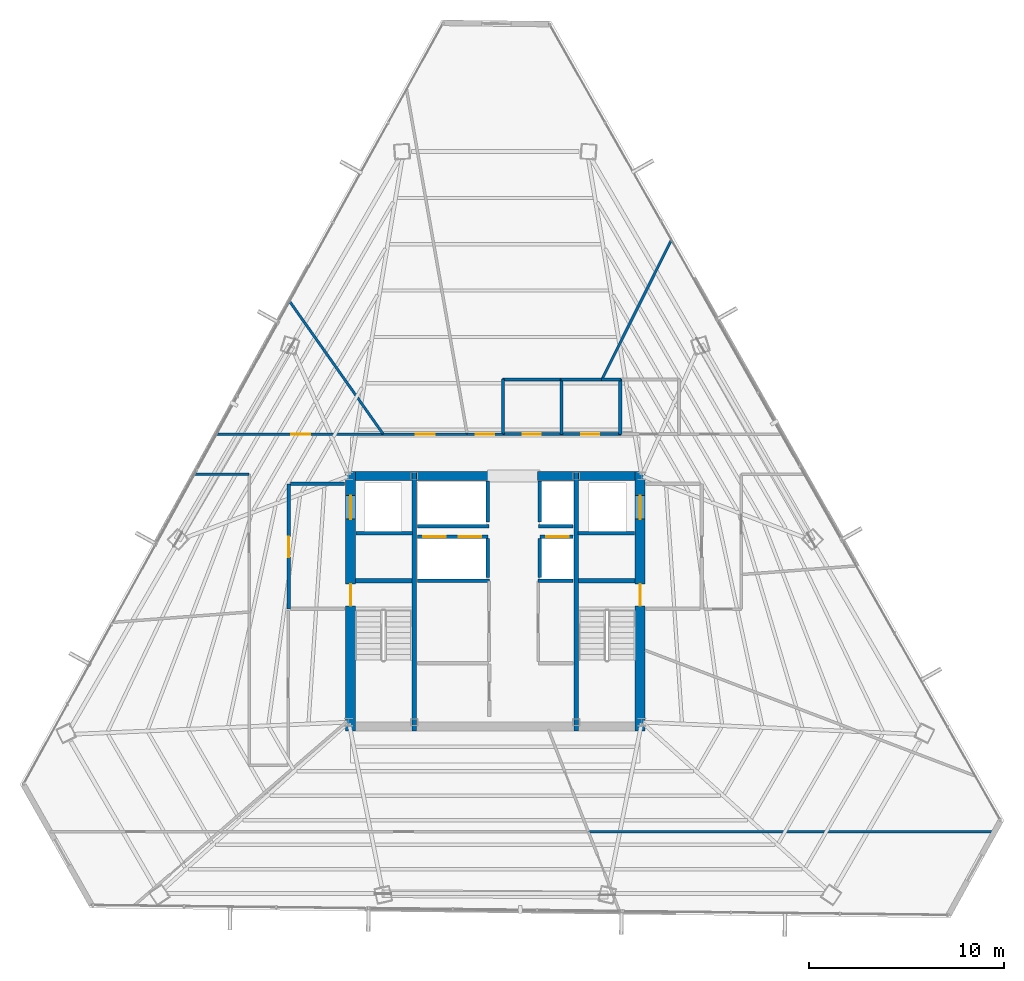
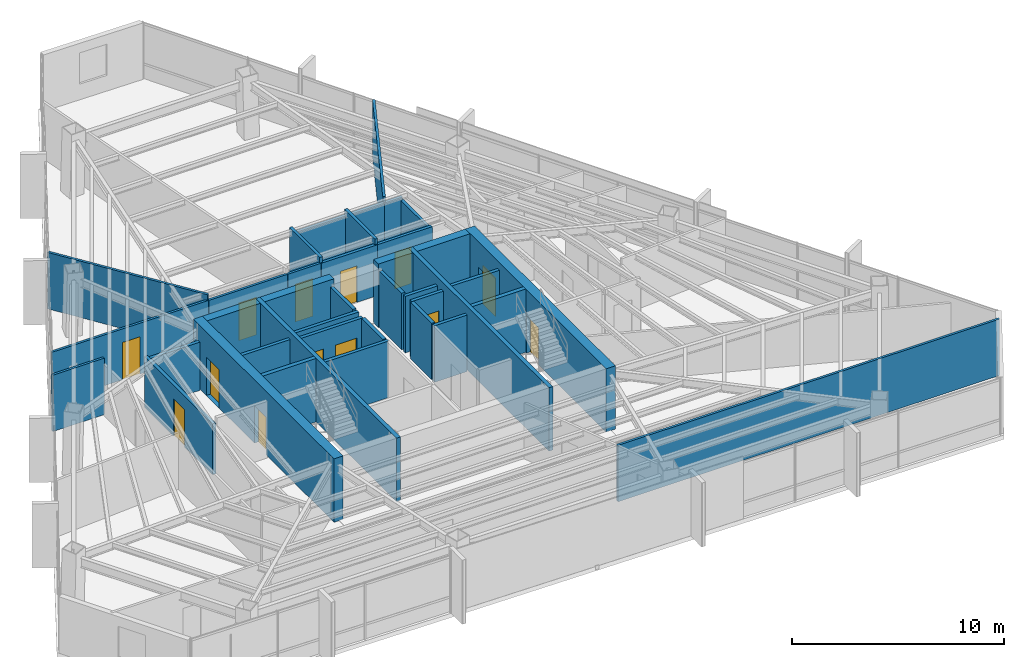
# One storey, part 36 of 40: 39 walls, 13 doors, 13 openings.
"""IFC4 building model written with IfcOpenShell, lengths in metres."""

from ifc_helpers import new_model, si_unit, direction, frame, frame_2d, origin, place, context, subcontext, project, spatial, rectangle, extrude, material, layer, layer_set, type_object, element, fill, save


model = new_model("IFC4")

# Units and contexts
model_context = context("Model", 3, precision=1e-05, world=origin(), true_north=direction((0.0, 1.0)))
body_context = subcontext(model_context, "Body", "Model", "MODEL_VIEW")
ifc_project = project(units=[si_unit("LENGTHUNIT", "METRE"), si_unit("AREAUNIT", "SQUARE_METRE"), si_unit("VOLUMEUNIT", "CUBIC_METRE"), si_unit("PLANEANGLEUNIT", "RADIAN"), si_unit("MASSUNIT", "GRAM", prefix="KILO")], contexts=[model_context])

# Site, building, storey
site_placement = place(None, origin())
site = spatial("IfcSite", under=ifc_project, at=site_placement, CompositionType="ELEMENT")
building_placement = place(site_placement, origin())
building = spatial("IfcBuilding", under=site, at=building_placement, Name="Caelisora Broadcast Tower", CompositionType="ELEMENT")
storey_placement = place(building_placement, frame((0.0, 0.0, 216.89990234375)))
storey = spatial("IfcBuildingStorey", under=building, at=storey_placement, Name="L57", CompositionType="ELEMENT", Elevation=216.89990234375)

# Wall, openings, doors
ifc_material_1 = material(Name="Concrete 50 MPa (AS 3600 S50)", Category="concrete")
ifc_layer_1 = layer(ifc_material_1, 0.5, Name="Concrete 50 MPa (AS 3600 S50)")
ifc_layer_set_1 = layer_set([ifc_layer_1], Name="Concrete 50 MPa (AS 3600 S50)")
wall_type_1 = type_object("IfcWallType", Name="CW2", PredefinedType="SHEAR", material=ifc_layer_set_1)
wall_1_placement = place(storey_placement, frame((30.590087890625, 16.949951171875, 0.0), z_axis=(0.0, 0.0, 1.0), x_axis=(0.0, 1.0, 0.0)))
wall_1 = element("IfcWall", 1, at=wall_1_placement, inside=storey, type_object=wall_type_1, Name="L57 core shear wall CW2", PredefinedType="SHEAR", context=body_context, shape_type="SweptSolid", body=[
    extrude(rectangle(XDim=13.275146484375, YDim=0.5, at=frame_2d((6.6376953125, 0.0))), origin(), (0.0, 0.0, 1.0), 3.650146484375),
])
opening_1_placement = place(wall_1_placement, frame((6.39990234375, 0.0, 0.0)))
opening_1 = element("IfcOpeningElement", 2, at=opening_1_placement, cuts=wall_1, Name="Opening FD04", PredefinedType="OPENING", context=body_context, shape_type="SweptSolid", body=[
    extrude(rectangle(XDim=1.1201171875, YDim=2.14990234375, at=frame_2d((0.56005859375, 1.074951171875))), frame((0.0, 0.261962890625, 0.0), z_axis=(0.0, -1.0, 0.0), x_axis=(1.0, 0.0, 0.0)), (0.0, 0.0, 1.0), 0.52392578125),
])
opening_2_placement = place(wall_1_placement, frame((10.85009765625, 0.0, 0.0)))
opening_2 = element("IfcOpeningElement", 3, at=opening_2_placement, cuts=wall_1, Name="Opening LD04", PredefinedType="OPENING", context=body_context, shape_type="SweptSolid", body=[
    extrude(rectangle(XDim=1.199951171875, YDim=2.199951171875, at=frame_2d((0.60009765625, 1.10009765625))), frame((0.0, 0.261962890625, 0.0), z_axis=(0.0, -1.0, 0.0), x_axis=(1.0, 0.0, 0.0)), (0.0, 0.0, 1.0), 0.52392578125),
])
ifc_material_2 = material(Name="Pressurised Fire-Isolated Stair Door", Category="steel")
door_type_1 = type_object("IfcDoorType", Name="FD04", OperationType="NOTDEFINED", PredefinedType="DOOR", material=ifc_material_2)
door_1_placement = place(opening_1_placement, origin())
door_1 = element("IfcDoor", 4, at=door_1_placement, inside=storey, type_object=door_type_1, Name="L57 door FD04 (L57-DR-ST1)", OperationType="SINGLE_SWING_LEFT", OverallHeight=2.14990234375, OverallWidth=1.1201171875, PredefinedType="DOOR", context=body_context, shape_type="SweptSolid", body=[
    extrude(rectangle(XDim=1.1201171875, YDim=2.14990234375, at=frame_2d((0.56005859375, 1.074951171875))), frame((0.0, 0.02490234375, 0.0), z_axis=(0.0, -1.0, 0.0), x_axis=(1.0, 0.0, 0.0)), (0.0, 0.0, 1.0), 0.050048828125),
])
fill(opening_1, door_1)
ifc_material_3 = material(Name="Emergency Firefighting Lift Sliding Landing Door", Category="steel")
door_type_2 = type_object("IfcDoorType", Name="LD04", OperationType="NOTDEFINED", PredefinedType="DOOR", material=ifc_material_3)
door_2_placement = place(opening_2_placement, origin())
door_2 = element("IfcDoor", 5, at=door_2_placement, inside=storey, type_object=door_type_2, Name="L57 door LD04 (L57-LD-FFL1)", OperationType="SLIDING_TO_LEFT", OverallHeight=2.199951171875, OverallWidth=1.199951171875, PredefinedType="DOOR", context=body_context, shape_type="SweptSolid", body=[
    extrude(rectangle(XDim=1.199951171875, YDim=2.199951171875, at=frame_2d((0.60009765625, 1.10009765625))), frame((0.0, 0.02490234375, 0.0), z_axis=(0.0, -1.0, 0.0), x_axis=(1.0, 0.0, 0.0)), (0.0, 0.0, 1.0), 0.050048828125),
])
fill(opening_2, door_2)

wall_2_placement = place(storey_placement, frame((45.409912109375, 16.949951171875, 0.0), z_axis=(0.0, 0.0, 1.0), x_axis=(0.0, 1.0, 0.0)))
wall_2 = element("IfcWall", 6, at=wall_2_placement, inside=storey, type_object=wall_type_1, Name="L57 core shear wall CW2", PredefinedType="SHEAR", context=body_context, shape_type="SweptSolid", body=[
    extrude(rectangle(XDim=13.275146484375, YDim=0.5, at=frame_2d((6.6376953125, 0.0))), origin(), (0.0, 0.0, 1.0), 3.650146484375),
])
opening_3_placement = place(wall_2_placement, frame((6.39990234375, 0.0, 0.0)))
opening_3 = element("IfcOpeningElement", 7, at=opening_3_placement, cuts=wall_2, Name="Opening FD04", PredefinedType="OPENING", context=body_context, shape_type="SweptSolid", body=[
    extrude(rectangle(XDim=1.1201171875, YDim=2.14990234375, at=frame_2d((0.56005859375, 1.074951171875))), frame((0.0, 0.261962890625, 0.0), z_axis=(0.0, -1.0, 0.0), x_axis=(1.0, 0.0, 0.0)), (0.0, 0.0, 1.0), 0.52392578125),
])
opening_4_placement = place(wall_2_placement, frame((10.85009765625, 0.0, 0.0)))
opening_4 = element("IfcOpeningElement", 8, at=opening_4_placement, cuts=wall_2, Name="Opening LD04", PredefinedType="OPENING", context=body_context, shape_type="SweptSolid", body=[
    extrude(rectangle(XDim=1.199951171875, YDim=2.199951171875, at=frame_2d((0.60009765625, 1.10009765625))), frame((0.0, 0.261962890625, 0.0), z_axis=(0.0, -1.0, 0.0), x_axis=(1.0, 0.0, 0.0)), (0.0, 0.0, 1.0), 0.52392578125),
])
door_3_placement = place(opening_3_placement, origin())
door_3 = element("IfcDoor", 9, at=door_3_placement, inside=storey, type_object=door_type_1, Name="L57 door FD04 (L57-DR-ST2)", OperationType="SINGLE_SWING_RIGHT", OverallHeight=2.14990234375, OverallWidth=1.1201171875, PredefinedType="DOOR", context=body_context, shape_type="SweptSolid", body=[
    extrude(rectangle(XDim=1.1201171875, YDim=2.14990234375, at=frame_2d((0.56005859375, 1.074951171875))), frame((0.0, 0.02490234375, 0.0), z_axis=(0.0, -1.0, 0.0), x_axis=(1.0, 0.0, 0.0)), (0.0, 0.0, 1.0), 0.050048828125),
])
fill(opening_3, door_3)
door_4_placement = place(opening_4_placement, origin())
door_4 = element("IfcDoor", 10, at=door_4_placement, inside=storey, type_object=door_type_2, Name="L57 door LD04 (L57-LD-FFL2)", OperationType="SLIDING_TO_RIGHT", OverallHeight=2.199951171875, OverallWidth=1.199951171875, PredefinedType="DOOR", context=body_context, shape_type="SweptSolid", body=[
    extrude(rectangle(XDim=1.199951171875, YDim=2.199951171875, at=frame_2d((0.60009765625, 1.10009765625))), frame((0.0, 0.02490234375, 0.0), z_axis=(0.0, -1.0, 0.0), x_axis=(1.0, 0.0, 0.0)), (0.0, 0.0, 1.0), 0.050048828125),
])
fill(opening_4, door_4)

# Walls
ifc_layer_2 = layer(ifc_material_1, 0.449951171875, Name="Concrete 50 MPa (AS 3600 S50)")
ifc_layer_set_2 = layer_set([ifc_layer_2], Name="Concrete 50 MPa (AS 3600 S50)")
wall_type_2 = type_object("IfcWallType", Name="CW5", PredefinedType="SHEAR", material=ifc_layer_set_2)
wall_3_placement = place(storey_placement, frame((30.840087890625, 30.0, 0.0), z_axis=(0.0, 0.0, 1.0), x_axis=(1.0, 0.0, 0.0)))
element("IfcWall", 11, at=wall_3_placement, inside=storey, type_object=wall_type_2, Name="L57 core shear wall CW5", PredefinedType="SHEAR", context=body_context, shape_type="SweptSolid", body=[
    extrude(rectangle(XDim=2.89990234375, YDim=0.449951171875, at=frame_2d((1.449951171875, 0.0))), origin(), (0.0, 0.0, 1.0), 3.650146484375),
])
wall_4_placement = place(storey_placement, frame((33.9599609375, 30.0, 0.0), z_axis=(0.0, 0.0, 1.0), x_axis=(1.0, 0.0, 0.0)))
element("IfcWall", 12, at=wall_4_placement, inside=storey, type_object=wall_type_2, Name="L57 core shear wall CW5", PredefinedType="SHEAR", context=body_context, shape_type="SweptSolid", body=[
    extrude(rectangle(XDim=3.780029296875, YDim=0.449951171875, at=frame_2d((1.89013671875, 0.0))), origin(), (0.0, 0.0, 1.0), 3.650146484375),
])
wall_5_placement = place(storey_placement, frame((40.159912109375, 30.0, 0.0), z_axis=(0.0, 0.0, 1.0), x_axis=(1.0, 0.0, 0.0)))
element("IfcWall", 13, at=wall_5_placement, inside=storey, type_object=wall_type_2, Name="L57 core shear wall CW5", PredefinedType="SHEAR", context=body_context, shape_type="SweptSolid", body=[
    extrude(rectangle(XDim=1.880126953125, YDim=0.449951171875, at=frame_2d((0.93994140625, 0.0))), origin(), (0.0, 0.0, 1.0), 3.650146484375),
])
wall_6_placement = place(storey_placement, frame((42.260009765625, 30.0, 0.0), z_axis=(0.0, 0.0, 1.0), x_axis=(1.0, 0.0, 0.0)))
element("IfcWall", 14, at=wall_6_placement, inside=storey, type_object=wall_type_2, Name="L57 core shear wall CW5", PredefinedType="SHEAR", context=body_context, shape_type="SweptSolid", body=[
    extrude(rectangle(XDim=2.89990234375, YDim=0.449951171875, at=frame_2d((1.449951171875, 0.0))), origin(), (0.0, 0.0, 1.0), 3.650146484375),
])
ifc_layer_3 = layer(ifc_material_1, 0.219970703125, Name="Concrete 50 MPa (AS 3600 S50)")
ifc_layer_set_3 = layer_set([ifc_layer_3], Name="Concrete 50 MPa (AS 3600 S50)")
wall_type_3 = type_object("IfcWallType", Name="CW7", PredefinedType="SHEAR", material=ifc_layer_set_3)
for number, where, z_axis, x_axis, name in (
    (15, (33.85009765625, 16.949951171875, 0.0), (0.0, 0.0, 1.0), (0.0, 1.0, 0.0), "L57 core shear wall CW7"),
    (16, (42.14990234375, 16.949951171875, 0.0), (0.0, 0.0, 1.0), (0.0, 1.0, 0.0), "L57 core shear wall CW7"),
):
    element("IfcWall", number, at=place(storey_placement, frame(where, z_axis=z_axis, x_axis=x_axis)), inside=storey, type_object=wall_type_3, Name=name, PredefinedType="SHEAR", context=body_context, shape_type="SweptSolid", body=[
        extrude(rectangle(XDim=13.275146484375, YDim=0.219970703125, at=frame_2d((6.6376953125, 0.0))), origin(), (0.0, 0.0, 1.0), 3.650146484375),
    ])
for number, where, z_axis, x_axis, name in (
    (17, (30.840087890625, 24.639892578125, 0.0), (0.0, 0.0, 1.0), (1.0, 0.0, 0.0), "L57 core shear wall CW7"),
    (18, (42.260009765625, 24.639892578125, 0.0), (0.0, 0.0, 1.0), (1.0, 0.0, 0.0), "L57 core shear wall CW7"),
):
    element("IfcWall", number, at=place(storey_placement, frame(where, z_axis=z_axis, x_axis=x_axis)), inside=storey, type_object=wall_type_3, Name=name, PredefinedType="SHEAR", context=body_context, shape_type="SweptSolid", body=[
        extrude(rectangle(XDim=2.89990234375, YDim=0.219970703125, at=frame_2d((1.449951171875, 0.0))), origin(), (0.0, 0.0, 1.0), 3.650146484375),
    ])

# Wall, openings, doors
ifc_material_4 = material(Name="Fire-Rated Gypsum Shaft and Compartment Wall", Category="gypsum")
ifc_layer_4 = layer(ifc_material_4, 0.179931640625, Name="Fire-Rated Gypsum Shaft and Compartment Wall")
ifc_layer_set_4 = layer_set([ifc_layer_4], Name="Fire-Rated Gypsum Shaft and Compartment Wall")
wall_type_4 = type_object("IfcWallType", Name="PW2", PredefinedType="PARTITIONING", material=ifc_layer_set_4)
wall_7_placement = place(storey_placement, frame((34.02001953125, 26.89990234375, 0.0), z_axis=(0.0, 0.0, 1.0), x_axis=(1.0, 0.0, 0.0)))
wall_7 = element("IfcWall", 19, at=wall_7_placement, inside=storey, type_object=wall_type_4, Name="L57 fire compartment wall PW2", PredefinedType="PARTITIONING", context=body_context, shape_type="SweptSolid", body=[
    extrude(rectangle(XDim=3.60009765625, YDim=0.179931640625, at=frame_2d((1.800048828125, 0.0))), origin(), (0.0, 0.0, 1.0), 3.25),
])
opening_5_placement = place(wall_7_placement, frame((0.300048828125, 0.0, 0.0)))
opening_5 = element("IfcOpeningElement", 20, at=opening_5_placement, cuts=wall_7, Name="Opening LD02", PredefinedType="OPENING", context=body_context, shape_type="SweptSolid", body=[
    extrude(rectangle(XDim=1.14990234375, YDim=2.199951171875, at=frame_2d((0.574951171875, 1.10009765625))), frame((0.0, 0.10205078125, 0.0), z_axis=(0.0, -1.0, 0.0), x_axis=(1.0, 0.0, 0.0)), (0.0, 0.0, 1.0), 0.203857421875),
])
opening_6_placement = place(wall_7_placement, frame((2.10009765625, 0.0, 0.0)))
opening_6 = element("IfcOpeningElement", 21, at=opening_6_placement, cuts=wall_7, Name="Opening LD02", PredefinedType="OPENING", context=body_context, shape_type="SweptSolid", body=[
    extrude(rectangle(XDim=1.14990234375, YDim=2.199951171875, at=frame_2d((0.574951171875, 1.10009765625))), frame((0.0, 0.10205078125, 0.0), z_axis=(0.0, -1.0, 0.0), x_axis=(1.0, 0.0, 0.0)), (0.0, 0.0, 1.0), 0.203857421875),
])
ifc_material_5 = material(Name="High-Speed Express Lift Sliding Landing Door", Category="steel")
door_type_3 = type_object("IfcDoorType", Name="LD02", OperationType="NOTDEFINED", PredefinedType="DOOR", material=ifc_material_5)
door_5_placement = place(opening_5_placement, origin())
door_5 = element("IfcDoor", 22, at=door_5_placement, inside=storey, type_object=door_type_3, Name="L57 door LD02 (L57-LD-PLM1)", OperationType="SLIDING_TO_LEFT", OverallHeight=2.199951171875, OverallWidth=1.14990234375, PredefinedType="DOOR", context=body_context, shape_type="SweptSolid", body=[
    extrude(rectangle(XDim=1.14990234375, YDim=2.199951171875, at=frame_2d((0.574951171875, 1.10009765625))), frame((0.0, 0.02490234375, 0.0), z_axis=(0.0, -1.0, 0.0), x_axis=(1.0, 0.0, 0.0)), (0.0, 0.0, 1.0), 0.050048828125),
])
fill(opening_5, door_5)
door_6_placement = place(opening_6_placement, origin())
door_6 = element("IfcDoor", 23, at=door_6_placement, inside=storey, type_object=door_type_3, Name="L57 door LD02 (L57-LD-PLM2)", OperationType="SLIDING_TO_RIGHT", OverallHeight=2.199951171875, OverallWidth=1.14990234375, PredefinedType="DOOR", context=body_context, shape_type="SweptSolid", body=[
    extrude(rectangle(XDim=1.14990234375, YDim=2.199951171875, at=frame_2d((0.574951171875, 1.10009765625))), frame((0.0, 0.02490234375, 0.0), z_axis=(0.0, -1.0, 0.0), x_axis=(1.0, 0.0, 0.0)), (0.0, 0.0, 1.0), 0.050048828125),
])
fill(opening_6, door_6)

# Wall, opening, door
wall_8_placement = place(storey_placement, frame((40.280029296875, 26.89990234375, 0.0), z_axis=(0.0, 0.0, 1.0), x_axis=(1.0, 0.0, 0.0)))
wall_8 = element("IfcWall", 24, at=wall_8_placement, inside=storey, type_object=wall_type_4, Name="L57 fire compartment wall PW2", PredefinedType="PARTITIONING", context=body_context, shape_type="SweptSolid", body=[
    extrude(rectangle(XDim=1.699951171875, YDim=0.179931640625, at=frame_2d((0.85009765625, 0.0))), origin(), (0.0, 0.0, 1.0), 3.25),
])
opening_7_placement = place(wall_8_placement, frame((0.320068359375, 0.0, 0.0)))
opening_7 = element("IfcOpeningElement", 25, at=opening_7_placement, cuts=wall_8, Name="Opening LD02", PredefinedType="OPENING", context=body_context, shape_type="SweptSolid", body=[
    extrude(rectangle(XDim=1.14990234375, YDim=2.199951171875, at=frame_2d((0.574951171875, 1.10009765625))), frame((0.0, 0.10205078125, 0.0), z_axis=(0.0, -1.0, 0.0), x_axis=(1.0, 0.0, 0.0)), (0.0, 0.0, 1.0), 0.203857421875),
])
door_7_placement = place(opening_7_placement, origin())
door_7 = element("IfcDoor", 26, at=door_7_placement, inside=storey, type_object=door_type_3, Name="L57 door LD02 (L57-LD-PLM3)", OperationType="SLIDING_TO_LEFT", OverallHeight=2.199951171875, OverallWidth=1.14990234375, PredefinedType="DOOR", context=body_context, shape_type="SweptSolid", body=[
    extrude(rectangle(XDim=1.14990234375, YDim=2.199951171875, at=frame_2d((0.574951171875, 1.10009765625))), frame((0.0, 0.02490234375, 0.0), z_axis=(0.0, -1.0, 0.0), x_axis=(1.0, 0.0, 0.0)), (0.0, 0.0, 1.0), 0.050048828125),
])
fill(opening_7, door_7)

# Walls
for number, where, z_axis, x_axis, name in (
    (27, (37.6201171875, 24.800048828125, 0.0), (0.0, 0.0, 1.0), (0.0, 1.0, 0.0), "L57 fire compartment wall PW2"),
    (28, (40.280029296875, 24.800048828125, 0.0), (0.0, 0.0, 1.0), (0.0, 1.0, 0.0), "L57 fire compartment wall PW2"),
):
    element("IfcWall", number, at=place(storey_placement, frame(where, z_axis=z_axis, x_axis=x_axis)), inside=storey, type_object=wall_type_4, Name=name, PredefinedType="PARTITIONING", context=body_context, shape_type="SweptSolid", body=[
        extrude(rectangle(XDim=2.0, YDim=0.179931640625, at=frame_2d((1.0, 0.0))), origin(), (0.0, 0.0, 1.0), 3.25),
    ])
wall_9_placement = place(storey_placement, frame((34.02001953125, 24.639892578125, 0.0), z_axis=(0.0, 0.0, 1.0), x_axis=(1.0, 0.0, 0.0)))
element("IfcWall", 29, at=wall_9_placement, inside=storey, type_object=wall_type_4, Name="L57 fire compartment wall PW2", PredefinedType="PARTITIONING", context=body_context, shape_type="SweptSolid", body=[
    extrude(rectangle(XDim=3.679931640625, YDim=0.179931640625, at=frame_2d((1.83984375, 0.0))), origin(), (0.0, 0.0, 1.0), 3.25),
])
wall_10_placement = place(storey_placement, frame((40.199951171875, 24.639892578125, 0.0), z_axis=(0.0, 0.0, 1.0), x_axis=(1.0, 0.0, 0.0)))
element("IfcWall", 30, at=wall_10_placement, inside=storey, type_object=wall_type_4, Name="L57 fire compartment wall PW2", PredefinedType="PARTITIONING", context=body_context, shape_type="SweptSolid", body=[
    extrude(rectangle(XDim=1.780029296875, YDim=0.179931640625, at=frame_2d((0.89013671875, 0.0))), origin(), (0.0, 0.0, 1.0), 3.25),
])
wall_11_placement = place(storey_placement, frame((34.02001953125, 27.419921875, 0.0), z_axis=(0.0, 0.0, 1.0), x_axis=(1.0, 0.0, 0.0)))
element("IfcWall", 31, at=wall_11_placement, inside=storey, type_object=wall_type_4, Name="L57 fire compartment wall PW2", PredefinedType="PARTITIONING", context=body_context, shape_type="SweptSolid", body=[
    extrude(rectangle(XDim=3.659912109375, YDim=0.179931640625, at=frame_2d((1.830078125, 0.0))), origin(), (0.0, 0.0, 1.0), 3.25),
])
wall_12_placement = place(storey_placement, frame((40.219970703125, 27.419921875, 0.0), z_axis=(0.0, 0.0, 1.0), x_axis=(1.0, 0.0, 0.0)))
element("IfcWall", 32, at=wall_12_placement, inside=storey, type_object=wall_type_4, Name="L57 fire compartment wall PW2", PredefinedType="PARTITIONING", context=body_context, shape_type="SweptSolid", body=[
    extrude(rectangle(XDim=1.760009765625, YDim=0.179931640625, at=frame_2d((0.8798828125, 0.0))), origin(), (0.0, 0.0, 1.0), 3.25),
])
for number, where, z_axis, x_axis, name in (
    (33, (37.6201171875, 27.639892578125, 0.0), (0.0, 0.0, 1.0), (0.0, 1.0, 0.0), "L57 fire compartment wall PW2"),
    (34, (40.280029296875, 27.639892578125, 0.0), (0.0, 0.0, 1.0), (0.0, 1.0, 0.0), "L57 fire compartment wall PW2"),
):
    element("IfcWall", number, at=place(storey_placement, frame(where, z_axis=z_axis, x_axis=x_axis)), inside=storey, type_object=wall_type_4, Name=name, PredefinedType="PARTITIONING", context=body_context, shape_type="SweptSolid", body=[
        extrude(rectangle(XDim=2.110107421875, YDim=0.179931640625, at=frame_2d((1.05517578125, 0.0))), origin(), (0.0, 0.0, 1.0), 3.25),
    ])

# Wall, opening, door
wall_13_placement = place(storey_placement, frame((27.419921875, 23.199951171875, 0.0), z_axis=(0.0, 0.0, 1.0), x_axis=(0.0, 1.0, 0.0)))
wall_13 = element("IfcWall", 35, at=wall_13_placement, inside=storey, type_object=wall_type_4, Name="L57 fire compartment wall PW2", PredefinedType="PARTITIONING", context=body_context, shape_type="SweptSolid", body=[
    extrude(rectangle(XDim=6.400146484375, YDim=0.179931640625, at=frame_2d((3.2001953125, 0.0))), origin(), (0.0, 0.0, 1.0), 2.927978515625),
])
opening_8_placement = place(wall_13_placement, frame((2.64990234375, 0.0, 0.0)))
opening_8 = element("IfcOpeningElement", 36, at=opening_8_placement, cuts=wall_13, Name="Opening FD02", PredefinedType="OPENING", context=body_context, shape_type="SweptSolid", body=[
    extrude(rectangle(XDim=1.050048828125, YDim=2.14990234375, at=frame_2d((0.52490234375, 1.074951171875))), frame((0.0, 0.10205078125, 0.0), z_axis=(0.0, -1.0, 0.0), x_axis=(1.0, 0.0, 0.0)), (0.0, 0.0, 1.0), 0.203857421875),
])
ifc_material_6 = material(Name="Single-Leaf Steel Fire Lobby Door", Category="steel")
door_type_4 = type_object("IfcDoorType", Name="FD02", OperationType="NOTDEFINED", PredefinedType="DOOR", material=ifc_material_6)
door_8_placement = place(opening_8_placement, origin())
door_8 = element("IfcDoor", 37, at=door_8_placement, inside=storey, type_object=door_type_4, Name="L57 door FD02 (L57-DR-P01D1)", OperationType="SINGLE_SWING_RIGHT", OverallHeight=2.14990234375, OverallWidth=1.050048828125, PredefinedType="DOOR", context=body_context, shape_type="SweptSolid", body=[
    extrude(rectangle(XDim=1.050048828125, YDim=2.14990234375, at=frame_2d((0.52490234375, 1.074951171875))), frame((0.0, 0.02490234375, 0.0), z_axis=(0.0, -1.0, 0.0), x_axis=(1.0, 0.0, 0.0)), (0.0, 0.0, 1.0), 0.050048828125),
])
fill(opening_8, door_8)

# Walls
wall_14_placement = place(storey_placement, frame((27.52001953125, 29.60009765625, 0.0), z_axis=(0.0, 0.0, 1.0), x_axis=(1.0, 0.0, 0.0)))
element("IfcWall", 38, at=wall_14_placement, inside=storey, type_object=wall_type_4, Name="L57 fire compartment wall PW2", PredefinedType="PARTITIONING", context=body_context, shape_type="SweptSolid", body=[
    extrude(rectangle(XDim=2.760009765625, YDim=0.179931640625, at=frame_2d((1.3798828125, 0.0))), origin(), (0.0, 0.0, 1.0), 2.774658203125),
])
for number, where, z_axis, x_axis, name in (
    (39, (30.860107421875, 27.070068359375, 0.0), (0.0, 0.0, 1.0), (1.0, 0.0, 0.0), "L57 fire compartment wall PW2"),
    (40, (42.239990234375, 27.070068359375, 0.0), (0.0, 0.0, 1.0), (1.0, 0.0, 0.0), "L57 fire compartment wall PW2"),
):
    element("IfcWall", number, at=place(storey_placement, frame(where, z_axis=z_axis, x_axis=x_axis)), inside=storey, type_object=wall_type_4, Name=name, PredefinedType="PARTITIONING", context=body_context, shape_type="SweptSolid", body=[
        extrude(rectangle(XDim=2.89990234375, YDim=0.179931640625, at=frame_2d((1.449951171875, 0.0))), origin(), (0.0, 0.0, 1.0), 3.25),
    ])
ifc_material_7 = material(Name="Acoustic Steel-Stud Plasterboard Partition", Category="gypsum")
ifc_layer_5 = layer(ifc_material_7, 0.1298828125, Name="Acoustic Steel-Stud Plasterboard Partition")
ifc_layer_set_5 = layer_set([ifc_layer_5], Name="Acoustic Steel-Stud Plasterboard Partition")
wall_type_5 = type_object("IfcWallType", Name="PW3", PredefinedType="PARTITIONING", material=ifc_layer_set_5)
wall_15_placement = place(storey_placement, frame((42.77490234375, 11.780029296875, 0.0), z_axis=(0.0, 0.0, 1.0), x_axis=(1.0, 0.0, 0.0)))
element("IfcWall", 41, at=wall_15_placement, inside=storey, type_object=wall_type_5, Name="L57 internal partition PW3", PredefinedType="PARTITIONING", context=body_context, shape_type="SweptSolid", body=[
    extrude(rectangle(XDim=20.781005859375, YDim=0.1298828125, at=frame_2d((10.390625, 0.0))), origin(), (0.0, 0.0, 1.0), 3.25),
])

# Wall, opening, door
wall_16_placement = place(storey_placement, frame((23.727783203125, 32.14990234375, 0.0), z_axis=(0.0, 0.0, 1.0), x_axis=(1.0, 0.0, 0.0)))
wall_16 = element("IfcWall", 42, at=wall_16_placement, inside=storey, type_object=wall_type_5, Name="L57 internal partition PW3", PredefinedType="PARTITIONING", context=body_context, shape_type="SweptSolid", body=[
    extrude(rectangle(XDim=8.527099609375, YDim=0.1298828125, at=frame_2d((4.263671875, 0.0))), origin(), (0.0, 0.0, 1.0), 2.927978515625),
])
opening_9_placement = place(wall_16_placement, frame((3.837890625, 0.0, 0.0)))
opening_9 = element("IfcOpeningElement", 43, at=opening_9_placement, cuts=wall_16, Name="Opening D01", PredefinedType="OPENING", context=body_context, shape_type="SweptSolid", body=[
    extrude(rectangle(XDim=0.9599609375, YDim=2.14990234375, at=frame_2d((0.47998046875, 1.074951171875))), frame((0.0, 0.076904296875, 0.0), z_axis=(0.0, -1.0, 0.0), x_axis=(1.0, 0.0, 0.0)), (0.0, 0.0, 1.0), 0.15380859375),
])
ifc_material_8 = material(Name="Solid-Core Timber Acoustic Office Door", Category="wood")
door_type_5 = type_object("IfcDoorType", Name="D01", OperationType="NOTDEFINED", PredefinedType="DOOR", material=ifc_material_8)
door_9_placement = place(opening_9_placement, origin())
door_9 = element("IfcDoor", 44, at=door_9_placement, inside=storey, type_object=door_type_5, Name="L57 door D01 (L57-DR-P32D1)", OperationType="SINGLE_SWING_RIGHT", OverallHeight=2.14990234375, OverallWidth=0.9599609375, PredefinedType="DOOR", context=body_context, shape_type="SweptSolid", body=[
    extrude(rectangle(XDim=0.9599609375, YDim=2.14990234375, at=frame_2d((0.47998046875, 1.074951171875))), frame((0.0, 0.02490234375, 0.0), z_axis=(0.0, -1.0, 0.0), x_axis=(1.0, 0.0, 0.0)), (0.0, 0.0, 1.0), 0.050048828125),
])
fill(opening_9, door_9)

# Walls
wall_17_placement = place(storey_placement, frame((27.47265625, 38.941162109375, 0.0), z_axis=(0.0, 0.0, 1.0), x_axis=(0.576162493951, -0.817335170273, 0.0)))
element("IfcWall", 45, at=wall_17_placement, inside=storey, type_object=wall_type_5, Name="L57 internal partition PW3", PredefinedType="PARTITIONING", context=body_context, shape_type="SweptSolid", body=[
    extrude(rectangle(XDim=8.303955078125, YDim=0.1298828125, at=frame_2d((4.15185546875, 0.0))), origin(), (0.0, 0.0, 1.0), 3.25),
])
wall_18_placement = place(storey_placement, frame((43.4619140625, 34.9541015625, 0.0), z_axis=(0.0, 0.0, 1.0), x_axis=(0.446235545648, 0.894915547859, 0.0)))
element("IfcWall", 46, at=wall_18_placement, inside=storey, type_object=wall_type_5, Name="L57 internal partition PW3", PredefinedType="PARTITIONING", context=body_context, shape_type="SweptSolid", body=[
    extrude(rectangle(XDim=7.989990234375, YDim=0.1298828125, at=frame_2d((3.9951171875, 0.0))), origin(), (0.0, 0.0, 1.0), 3.25),
])

# Wall, opening, door
wall_19_placement = place(storey_placement, frame((32.264892578125, 32.14990234375, 0.0), z_axis=(0.0, 0.0, 1.0), x_axis=(1.0, 0.0, 0.0)))
wall_19 = element("IfcWall", 47, at=wall_19_placement, inside=storey, type_object=wall_type_5, Name="L57 internal partition PW3", PredefinedType="PARTITIONING", context=body_context, shape_type="SweptSolid", body=[
    extrude(rectangle(XDim=4.2900390625, YDim=0.1298828125, at=frame_2d((2.14501953125, 0.0))), origin(), (0.0, 0.0, 1.0), 2.927978515625),
])
opening_10_placement = place(wall_19_placement, frame((1.6650390625, 0.0, 0.0)))
opening_10 = element("IfcOpeningElement", 48, at=opening_10_placement, cuts=wall_19, Name="Opening D01", PredefinedType="OPENING", context=body_context, shape_type="SweptSolid", body=[
    extrude(rectangle(XDim=0.9599609375, YDim=2.14990234375, at=frame_2d((0.47998046875, 1.074951171875))), frame((0.0, 0.076904296875, 0.0), z_axis=(0.0, -1.0, 0.0), x_axis=(1.0, 0.0, 0.0)), (0.0, 0.0, 1.0), 0.15380859375),
])
door_10_placement = place(opening_10_placement, origin())
door_10 = element("IfcDoor", 49, at=door_10_placement, inside=storey, type_object=door_type_5, Name="L57 door D01 (L57-DR-P46D1)", OperationType="SINGLE_SWING_RIGHT", OverallHeight=2.14990234375, OverallWidth=0.9599609375, PredefinedType="DOOR", context=body_context, shape_type="SweptSolid", body=[
    extrude(rectangle(XDim=0.9599609375, YDim=2.14990234375, at=frame_2d((0.47998046875, 1.074951171875))), frame((0.0, 0.02490234375, 0.0), z_axis=(0.0, -1.0, 0.0), x_axis=(1.0, 0.0, 0.0)), (0.0, 0.0, 1.0), 0.050048828125),
])
fill(opening_10, door_10)

# Wall
wall_20_placement = place(storey_placement, frame((22.597412109375, 30.10009765625, 0.0), z_axis=(0.0, 0.0, 1.0), x_axis=(1.0, 0.0, 0.0)))
element("IfcWall", 50, at=wall_20_placement, inside=storey, type_object=wall_type_5, Name="L57 internal partition PW3", PredefinedType="PARTITIONING", context=body_context, shape_type="SweptSolid", body=[
    extrude(rectangle(XDim=2.797607421875, YDim=0.1298828125, at=frame_2d((1.39892578125, 0.0))), origin(), (0.0, 0.0, 1.0), 3.25),
])

# Wall, opening, door
wall_21_placement = place(storey_placement, frame((36.56494140625, 32.14990234375, 0.0), z_axis=(0.0, 0.0, 1.0), x_axis=(1.0, 0.0, 0.0)))
wall_21 = element("IfcWall", 51, at=wall_21_placement, inside=storey, type_object=wall_type_5, Name="L57 internal partition PW3", PredefinedType="PARTITIONING", context=body_context, shape_type="SweptSolid", body=[
    extrude(rectangle(XDim=1.830078125, YDim=0.1298828125, at=frame_2d((0.9150390625, 0.0))), origin(), (0.0, 0.0, 1.0), 2.927978515625),
])
opening_11_placement = place(wall_21_placement, frame((0.43505859375, 0.0, 0.0)))
opening_11 = element("IfcOpeningElement", 52, at=opening_11_placement, cuts=wall_21, Name="Opening D01", PredefinedType="OPENING", context=body_context, shape_type="SweptSolid", body=[
    extrude(rectangle(XDim=0.9599609375, YDim=2.14990234375, at=frame_2d((0.47998046875, 1.074951171875))), frame((0.0, 0.076904296875, 0.0), z_axis=(0.0, -1.0, 0.0), x_axis=(1.0, 0.0, 0.0)), (0.0, 0.0, 1.0), 0.15380859375),
])
door_11_placement = place(opening_11_placement, origin())
door_11 = element("IfcDoor", 53, at=door_11_placement, inside=storey, type_object=door_type_5, Name="L57 door D01 (L57-DR-P51D1)", OperationType="SINGLE_SWING_RIGHT", OverallHeight=2.14990234375, OverallWidth=0.9599609375, PredefinedType="DOOR", context=body_context, shape_type="SweptSolid", body=[
    extrude(rectangle(XDim=0.9599609375, YDim=2.14990234375, at=frame_2d((0.47998046875, 1.074951171875))), frame((0.0, 0.02490234375, 0.0), z_axis=(0.0, -1.0, 0.0), x_axis=(1.0, 0.0, 0.0)), (0.0, 0.0, 1.0), 0.050048828125),
])
fill(opening_11, door_11)

ifc_material_9 = material(Name="Moisture-Resistant Wet Plumbing Service Wall", Category="gypsum")
ifc_layer_6 = layer(ifc_material_9, 0.159912109375, Name="Moisture-Resistant Wet Plumbing Service Wall")
ifc_layer_set_6 = layer_set([ifc_layer_6], Name="Moisture-Resistant Wet Plumbing Service Wall")
wall_type_6 = type_object("IfcWallType", Name="PW4", PredefinedType="PLUMBINGWALL", material=ifc_layer_set_6)
wall_22_placement = place(storey_placement, frame((38.375, 32.14990234375, 0.0), z_axis=(0.0, 0.0, 1.0), x_axis=(1.0, 0.0, 0.0)))
wall_22 = element("IfcWall", 54, at=wall_22_placement, inside=storey, type_object=wall_type_6, Name="L57 wet plumbing wall PW4", PredefinedType="PLUMBINGWALL", context=body_context, shape_type="SweptSolid", body=[
    extrude(rectangle(XDim=3.050048828125, YDim=0.159912109375, at=frame_2d((1.52490234375, 0.0))), origin(), (0.0, 0.0, 1.0), 2.927978515625),
])
opening_12_placement = place(wall_22_placement, frame((1.034912109375, 0.0, 0.0)))
opening_12 = element("IfcOpeningElement", 55, at=opening_12_placement, cuts=wall_22, Name="Opening D03", PredefinedType="OPENING", context=body_context, shape_type="SweptSolid", body=[
    extrude(rectangle(XDim=0.919921875, YDim=2.10009765625, at=frame_2d((0.4599609375, 1.050048828125))), frame((0.0, 0.092041015625, 0.0), z_axis=(0.0, -1.0, 0.0), x_axis=(1.0, 0.0, 0.0)), (0.0, 0.0, 1.0), 0.183837890625),
])
ifc_material_10 = material(Name="Laminate Moisture-Resistant Amenity WC Door", Category="wood")
door_type_6 = type_object("IfcDoorType", Name="D03", OperationType="NOTDEFINED", PredefinedType="DOOR", material=ifc_material_10)
door_12_placement = place(opening_12_placement, origin())
door_12 = element("IfcDoor", 56, at=door_12_placement, inside=storey, type_object=door_type_6, Name="L57 door D03 (L57-DR-P14D1)", OperationType="SINGLE_SWING_LEFT", OverallHeight=2.10009765625, OverallWidth=0.919921875, PredefinedType="DOOR", context=body_context, shape_type="SweptSolid", body=[
    extrude(rectangle(XDim=0.919921875, YDim=2.10009765625, at=frame_2d((0.4599609375, 1.050048828125))), frame((0.0, 0.02490234375, 0.0), z_axis=(0.0, -1.0, 0.0), x_axis=(1.0, 0.0, 0.0)), (0.0, 0.0, 1.0), 0.050048828125),
])
fill(opening_12, door_12)

wall_23_placement = place(storey_placement, frame((41.375, 32.14990234375, 0.0), z_axis=(0.0, 0.0, 1.0), x_axis=(1.0, 0.0, 0.0)))
wall_23 = element("IfcWall", 57, at=wall_23_placement, inside=storey, type_object=wall_type_6, Name="L57 wet plumbing wall PW4", PredefinedType="PLUMBINGWALL", context=body_context, shape_type="SweptSolid", body=[
    extrude(rectangle(XDim=3.050048828125, YDim=0.159912109375, at=frame_2d((1.52490234375, 0.0))), origin(), (0.0, 0.0, 1.0), 2.927978515625),
])
opening_13_placement = place(wall_23_placement, frame((1.034912109375, 0.0, 0.0)))
opening_13 = element("IfcOpeningElement", 58, at=opening_13_placement, cuts=wall_23, Name="Opening D03", PredefinedType="OPENING", context=body_context, shape_type="SweptSolid", body=[
    extrude(rectangle(XDim=0.919921875, YDim=2.10009765625, at=frame_2d((0.4599609375, 1.050048828125))), frame((0.0, 0.092041015625, 0.0), z_axis=(0.0, -1.0, 0.0), x_axis=(1.0, 0.0, 0.0)), (0.0, 0.0, 1.0), 0.183837890625),
])
door_13_placement = place(opening_13_placement, origin())
door_13 = element("IfcDoor", 59, at=door_13_placement, inside=storey, type_object=door_type_6, Name="L57 door D03 (L57-DR-P15D1)", OperationType="SINGLE_SWING_RIGHT", OverallHeight=2.10009765625, OverallWidth=0.919921875, PredefinedType="DOOR", context=body_context, shape_type="SweptSolid", body=[
    extrude(rectangle(XDim=0.919921875, YDim=2.10009765625, at=frame_2d((0.4599609375, 1.050048828125))), frame((0.0, 0.02490234375, 0.0), z_axis=(0.0, -1.0, 0.0), x_axis=(1.0, 0.0, 0.0)), (0.0, 0.0, 1.0), 0.050048828125),
])
fill(opening_13, door_13)

# Walls
wall_24_placement = place(storey_placement, frame((38.375, 34.949951171875, 0.0), z_axis=(0.0, 0.0, 1.0), x_axis=(1.0, 0.0, 0.0)))
element("IfcWall", 60, at=wall_24_placement, inside=storey, type_object=wall_type_6, Name="L57 wet plumbing wall PW4", PredefinedType="PLUMBINGWALL", context=body_context, shape_type="SweptSolid", body=[
    extrude(rectangle(XDim=3.050048828125, YDim=0.159912109375, at=frame_2d((1.52490234375, 0.0))), origin(), (0.0, 0.0, 1.0), 2.927978515625),
])
for number, where, z_axis, x_axis, name in (
    (61, (41.39990234375, 32.125, 0.0), (0.0, 0.0, 1.0), (0.0, 1.0, 0.0), "L57 wet plumbing wall PW4"),
    (62, (38.39990234375, 32.125, 0.0), (0.0, 0.0, 1.0), (0.0, 1.0, 0.0), "L57 wet plumbing wall PW4"),
):
    element("IfcWall", number, at=place(storey_placement, frame(where, z_axis=z_axis, x_axis=x_axis)), inside=storey, type_object=wall_type_6, Name=name, PredefinedType="PLUMBINGWALL", context=body_context, shape_type="SweptSolid", body=[
        extrude(rectangle(XDim=2.85009765625, YDim=0.159912109375, at=frame_2d((1.425048828125, 0.0))), origin(), (0.0, 0.0, 1.0), 3.25),
    ])
wall_25_placement = place(storey_placement, frame((44.39990234375, 32.125, 0.0), z_axis=(0.0, 0.0, 1.0), x_axis=(0.0, 1.0, 0.0)))
element("IfcWall", 63, at=wall_25_placement, inside=storey, type_object=wall_type_6, Name="L57 wet plumbing wall PW4", PredefinedType="PLUMBINGWALL", context=body_context, shape_type="SweptSolid", body=[
    extrude(rectangle(XDim=2.85009765625, YDim=0.159912109375, at=frame_2d((1.425048828125, 0.0))), origin(), (0.0, 0.0, 1.0), 2.774658203125),
])
wall_26_placement = place(storey_placement, frame((41.375, 34.949951171875, 0.0), z_axis=(0.0, 0.0, 1.0), x_axis=(1.0, 0.0, 0.0)))
element("IfcWall", 64, at=wall_26_placement, inside=storey, type_object=wall_type_6, Name="L57 wet plumbing wall PW4", PredefinedType="PLUMBINGWALL", context=body_context, shape_type="SweptSolid", body=[
    extrude(rectangle(XDim=2.110107421875, YDim=0.159912109375, at=frame_2d((1.05517578125, 0.0))), origin(), (0.0, 0.0, 1.0), 2.927978515625),
])
wall_27_placement = place(storey_placement, frame((43.43505859375, 34.949951171875, 0.0), z_axis=(0.0, 0.0, 1.0), x_axis=(1.0, 0.0, 0.0)))
element("IfcWall", 65, at=wall_27_placement, inside=storey, type_object=wall_type_6, Name="L57 wet plumbing wall PW4", PredefinedType="PLUMBINGWALL", context=body_context, shape_type="SweptSolid", body=[
    extrude(rectangle(XDim=0.989990234375, YDim=0.159912109375, at=frame_2d((0.4951171875, 0.0))), origin(), (0.0, 0.0, 1.0), 2.927978515625),
])

save(model, "model.ifc")
